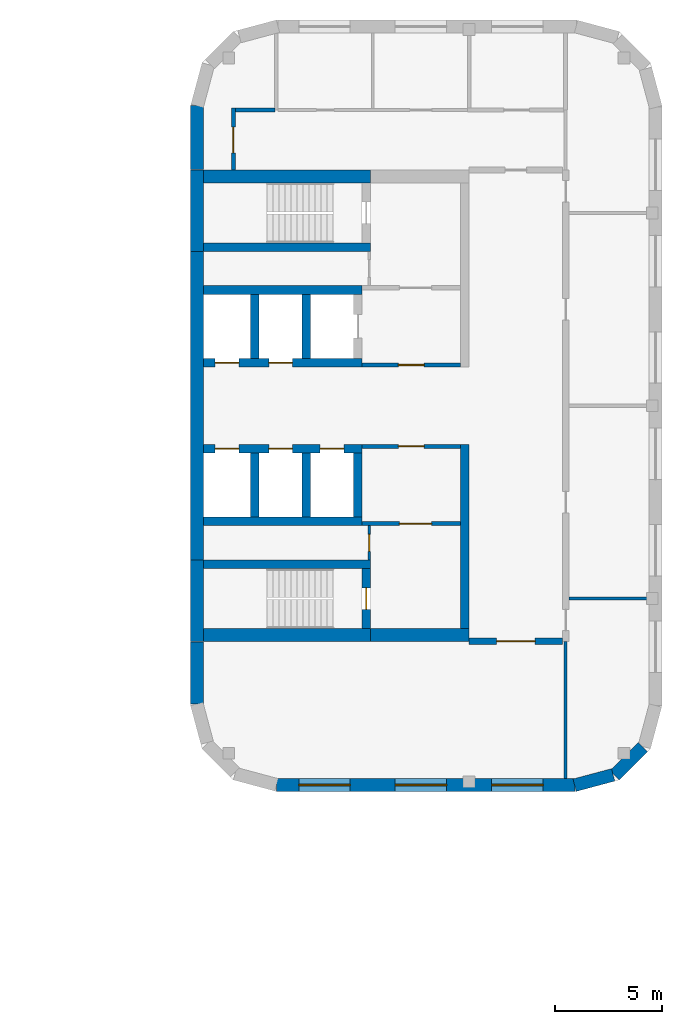
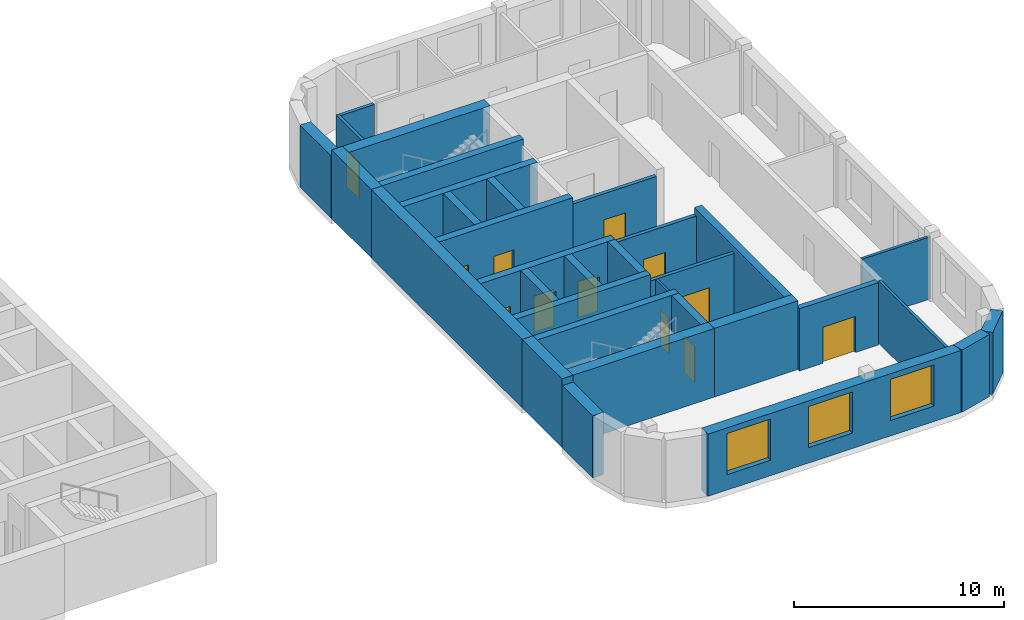
# One storey, part 7 of 13: 33 walls, 12 doors, 3 windows, 15 openings.
"""IFC4 building model written with IfcOpenShell, lengths in metres."""

from ifc_helpers import new_model, si_unit, direction, frame, frame_2d, origin, place, context, subcontext, project, spatial, rectangle, extrude, material, layer, layer_set, type_object, element, fill, save


model = new_model("IFC4")

# Units and contexts
model_context = context("Model", 3, precision=1e-05, world=origin(), true_north=direction((0.0, 1.0)))
body_context = subcontext(model_context, "Body", "Model", "MODEL_VIEW")
ifc_project = project(units=[si_unit("LENGTHUNIT", "METRE"), si_unit("AREAUNIT", "SQUARE_METRE"), si_unit("VOLUMEUNIT", "CUBIC_METRE"), si_unit("PLANEANGLEUNIT", "RADIAN"), si_unit("MASSUNIT", "GRAM", prefix="KILO")], contexts=[model_context])

# Site, building, storey
site_placement = place(None, origin())
site = spatial("IfcSite", under=ifc_project, at=site_placement, CompositionType="ELEMENT")
building_placement = place(site_placement, origin())
building = spatial("IfcBuilding", under=site, at=building_placement, Name="Skarvind Civic Tower", CompositionType="ELEMENT")
storey_placement = place(building_placement, frame((0.0, 0.0, 93.0)))
storey = spatial("IfcBuildingStorey", under=building, at=storey_placement, Name="L21", CompositionType="ELEMENT", Elevation=93.0)

# Wall, opening, door
ifc_material_1 = material(Name="Acoustic gypsum board on steel studs", Category="steel")
ifc_layer_1 = layer(ifc_material_1, 0.175048828125)
ifc_layer_set_1 = layer_set([ifc_layer_1], Name="ACOUSTIC MEETING-ROOM PARTITION 175")
wall_type_1 = type_object("IfcWallType", Name="ACOUSTIC MEETING-ROOM PARTITION 175", PredefinedType="PARTITIONING", material=ifc_layer_set_1)
wall_1_placement = place(storey_placement, frame((129.0, 139.0, 0.0), z_axis=(0.0, 0.0, 1.0), x_axis=(0.0, 1.0, 0.0)))
wall_1 = element("IfcWall", 1, at=wall_1_placement, inside=storey, type_object=wall_type_1, Name="Partition 21.001", PredefinedType="PARTITIONING", context=body_context, shape_type="SweptSolid", body=[
    extrude(rectangle(XDim=2.887939453125, YDim=0.175048828125, at=frame_2d((1.44384765625, 0.0))), origin(), (0.0, 0.0, 1.0), 3.625),
])
opening_1_placement = place(wall_1_placement, frame((0.800048828125, 0.0, 0.0)))
opening_1 = element("IfcOpeningElement", 2, at=opening_1_placement, cuts=wall_1, Name="Opening L21-D110", PredefinedType="OPENING", context=body_context, shape_type="SweptSolid", body=[
    extrude(rectangle(XDim=1.199951171875, YDim=2.10009765625, at=frame_2d((0.60009765625, 1.050048828125))), frame((0.0, 0.097412109375, 0.0), z_axis=(0.0, -1.0, 0.0), x_axis=(1.0, 0.0, 0.0)), (0.0, 0.0, 1.0), 0.195068359375),
])
ifc_material_2 = material(Name="Timber door leaf", Category="wood")
door_type_1 = type_object("IfcDoorType", Name="DOOR 1200X2100 DOUBLE TIMBER", OperationType="NOTDEFINED", PredefinedType="DOOR", material=ifc_material_2)
door_1_placement = place(opening_1_placement, origin())
door_1 = element("IfcDoor", 3, at=door_1_placement, inside=storey, type_object=door_type_1, Name="Door L21-D110", OperationType="DOUBLE_DOOR_SINGLE_SWING", OverallHeight=2.10009765625, OverallWidth=1.199951171875, PredefinedType="DOOR", context=body_context, shape_type="SweptSolid", body=[
    extrude(rectangle(XDim=1.199951171875, YDim=2.10009765625, at=frame_2d((0.60009765625, 1.050048828125))), frame((0.0, 0.02490234375, 0.0), z_axis=(0.0, -1.0, 0.0), x_axis=(1.0, 0.0, 0.0)), (0.0, 0.0, 1.0), 0.050048828125),
])
fill(opening_1, door_1)

# Wall
wall_2_placement = place(storey_placement, frame((129.087890625, 141.800048828125, 0.0), z_axis=(0.0, 0.0, 1.0), x_axis=(1.0, 0.0, 0.0)))
element("IfcWall", 4, at=wall_2_placement, inside=storey, type_object=wall_type_1, Name="Partition 21.002", PredefinedType="PARTITIONING", context=body_context, shape_type="SweptSolid", body=[
    extrude(rectangle(XDim=1.85302734375, YDim=0.175048828125, at=frame_2d((0.926513671875, 0.0))), origin(), (0.0, 0.0, 1.0), 3.625),
])

# Wall, opening, door
ifc_material_3 = material(Name="Fire-rated gypsum board on steel studs", Category="steel")
ifc_layer_2 = layer(ifc_material_3, 0.300048828125)
ifc_layer_set_2 = layer_set([ifc_layer_2], Name="CORRIDOR WALL 300")
wall_type_2 = type_object("IfcWallType", Name="CORRIDOR WALL 300", PredefinedType="PARTITIONING", material=ifc_layer_set_2)
wall_3_placement = place(storey_placement, frame((144.35009765625, 117.0, 0.0), z_axis=(0.0, 0.0, 1.0), x_axis=(-1.0, 0.0, 0.0)))
wall_3 = element("IfcWall", 5, at=wall_3_placement, inside=storey, type_object=wall_type_2, Name="Partition 21.009", PredefinedType="PARTITIONING", context=body_context, shape_type="SweptSolid", body=[
    extrude(rectangle(XDim=4.35009765625, YDim=0.300048828125, at=frame_2d((2.175048828125, 0.0))), origin(), (0.0, 0.0, 1.0), 3.625),
])
opening_2_placement = place(wall_3_placement, frame((1.2666015625, 0.0, 0.0)))
opening_2 = element("IfcOpeningElement", 6, at=opening_2_placement, cuts=wall_3, Name="Opening L21-D105", PredefinedType="OPENING", context=body_context, shape_type="SweptSolid", body=[
    extrude(rectangle(XDim=1.800048828125, YDim=2.10009765625, at=frame_2d((0.89990234375, 1.050048828125))), frame((0.0, 0.159912109375, 0.0), z_axis=(0.0, -1.0, 0.0), x_axis=(1.0, 0.0, 0.0)), (0.0, 0.0, 1.0), 0.320068359375),
])
ifc_material_4 = material(Name="Fire-rated timber door leaf", Category="wood")
door_type_2 = type_object("IfcDoorType", Name="FD4 1800x2100", OperationType="NOTDEFINED", PredefinedType="DOOR", material=ifc_material_4)
door_2_placement = place(opening_2_placement, origin())
door_2 = element("IfcDoor", 7, at=door_2_placement, inside=storey, type_object=door_type_2, Name="Door L21-D105", OperationType="DOUBLE_DOOR_SINGLE_SWING", OverallHeight=2.10009765625, OverallWidth=1.800048828125, PredefinedType="DOOR", context=body_context, shape_type="SweptSolid", body=[
    extrude(rectangle(XDim=1.800048828125, YDim=2.10009765625, at=frame_2d((0.89990234375, 1.050048828125))), frame((0.0, 0.02490234375, 0.0), z_axis=(0.0, -1.0, 0.0), x_axis=(1.0, 0.0, 0.0)), (0.0, 0.0, 1.0), 0.050048828125),
])
fill(opening_2, door_2)

ifc_material_5 = material(Name="Fire-rated masonry partition", Category="masonry")
ifc_layer_3 = layer(ifc_material_5, 0.199951171875)
ifc_layer_set_3 = layer_set([ifc_layer_3], Name="Core enclosure wall 200")
wall_type_3 = type_object("IfcWallType", Name="Core enclosure wall 200", PredefinedType="PARTITIONING", material=ifc_layer_set_3)
wall_4_placement = place(storey_placement, frame((135.0, 129.89990234375, 0.0), z_axis=(0.0, 0.0, 1.0), x_axis=(1.0, 0.0, 0.0)))
wall_4 = element("IfcWall", 8, at=wall_4_placement, inside=storey, type_object=wall_type_3, Name="Core wall CA", PredefinedType="PARTITIONING", context=body_context, shape_type="SweptSolid", body=[
    extrude(rectangle(XDim=4.60009765625, YDim=0.199951171875, at=frame_2d((2.300048828125, 0.0))), origin(), (0.0, 0.0, 1.0), 3.625),
])
opening_3_placement = place(wall_4_placement, frame((1.699951171875, 0.0, 0.0)))
opening_3 = element("IfcOpeningElement", 9, at=opening_3_placement, cuts=wall_4, Name="Opening D-L21-CA-06", PredefinedType="OPENING", context=body_context, shape_type="SweptSolid", body=[
    extrude(rectangle(XDim=1.199951171875, YDim=2.10009765625, at=frame_2d((0.60009765625, 1.050048828125))), frame((0.0, 0.10986328125, 0.0), z_axis=(0.0, -1.0, 0.0), x_axis=(1.0, 0.0, 0.0)), (0.0, 0.0, 1.0), 0.219970703125),
])
ifc_material_6 = material(Name="Fire-rated steel door", Category="steel")
door_type_3 = type_object("IfcDoorType", Name="Core lobby door 1200", OperationType="NOTDEFINED", PredefinedType="DOOR", material=ifc_material_6)
door_3_placement = place(opening_3_placement, origin())
door_3 = element("IfcDoor", 10, at=door_3_placement, inside=storey, type_object=door_type_3, Name="Fire door", OperationType="DOUBLE_DOOR_SINGLE_SWING", OverallHeight=2.10009765625, OverallWidth=1.199951171875, PredefinedType="DOOR", context=body_context, shape_type="SweptSolid", body=[
    extrude(rectangle(XDim=1.199951171875, YDim=2.10009765625, at=frame_2d((0.60009765625, 1.050048828125))), frame((0.0, 0.02490234375, 0.0), z_axis=(0.0, -1.0, 0.0), x_axis=(1.0, 0.0, 0.0)), (0.0, 0.0, 1.0), 0.050048828125),
])
fill(opening_3, door_3)

wall_5_placement = place(storey_placement, frame((139.60009765625, 126.10009765625, 0.0), z_axis=(0.0, 0.0, 1.0), x_axis=(-1.0, 0.0, 0.0)))
wall_5 = element("IfcWall", 11, at=wall_5_placement, inside=storey, type_object=wall_type_3, Name="Core wall CA", PredefinedType="PARTITIONING", context=body_context, shape_type="SweptSolid", body=[
    extrude(rectangle(XDim=4.60009765625, YDim=0.199951171875, at=frame_2d((2.300048828125, 0.0))), origin(), (0.0, 0.0, 1.0), 3.625),
])
opening_4_placement = place(wall_5_placement, frame((1.699951171875, 0.0, 0.0)))
opening_4 = element("IfcOpeningElement", 12, at=opening_4_placement, cuts=wall_5, Name="Opening D-L21-CA-10", PredefinedType="OPENING", context=body_context, shape_type="SweptSolid", body=[
    extrude(rectangle(XDim=1.199951171875, YDim=2.10009765625, at=frame_2d((0.60009765625, 1.050048828125))), frame((0.0, 0.10986328125, 0.0), z_axis=(0.0, -1.0, 0.0), x_axis=(1.0, 0.0, 0.0)), (0.0, 0.0, 1.0), 0.219970703125),
])
door_4_placement = place(opening_4_placement, origin())
door_4 = element("IfcDoor", 13, at=door_4_placement, inside=storey, type_object=door_type_3, Name="Fire door", OperationType="DOUBLE_DOOR_SINGLE_SWING", OverallHeight=2.10009765625, OverallWidth=1.199951171875, PredefinedType="DOOR", context=body_context, shape_type="SweptSolid", body=[
    extrude(rectangle(XDim=1.199951171875, YDim=2.10009765625, at=frame_2d((0.60009765625, 1.050048828125))), frame((0.0, 0.02490234375, 0.0), z_axis=(0.0, -1.0, 0.0), x_axis=(1.0, 0.0, 0.0)), (0.0, 0.0, 1.0), 0.050048828125),
])
fill(opening_4, door_4)

wall_6_placement = place(storey_placement, frame((139.60009765625, 122.5, 0.0), z_axis=(0.0, 0.0, 1.0), x_axis=(-1.0, 0.0, 0.0)))
wall_6 = element("IfcWall", 14, at=wall_6_placement, inside=storey, type_object=wall_type_3, Name="Core wall CA", PredefinedType="PARTITIONING", context=body_context, shape_type="SweptSolid", body=[
    extrude(rectangle(XDim=4.60009765625, YDim=0.199951171875, at=frame_2d((2.300048828125, 0.0))), origin(), (0.0, 0.0, 1.0), 3.625),
])
opening_5_placement = place(wall_6_placement, frame((1.35009765625, 0.0, 0.0)))
opening_5 = element("IfcOpeningElement", 15, at=opening_5_placement, cuts=wall_6, Name="Opening D-L21-CA-11", PredefinedType="OPENING", context=body_context, shape_type="SweptSolid", body=[
    extrude(rectangle(XDim=1.5, YDim=2.10009765625, at=frame_2d((0.75, 1.050048828125))), frame((0.0, 0.10986328125, 0.0), z_axis=(0.0, -1.0, 0.0), x_axis=(1.0, 0.0, 0.0)), (0.0, 0.0, 1.0), 0.219970703125),
])
door_type_4 = type_object("IfcDoorType", Name="Fire door 1500", OperationType="NOTDEFINED", PredefinedType="DOOR", material=ifc_material_6)
door_5_placement = place(opening_5_placement, origin())
door_5 = element("IfcDoor", 16, at=door_5_placement, inside=storey, type_object=door_type_4, Name="Fire door", OperationType="DOUBLE_DOOR_SINGLE_SWING", OverallHeight=2.10009765625, OverallWidth=1.5, PredefinedType="DOOR", context=body_context, shape_type="SweptSolid", body=[
    extrude(rectangle(XDim=1.5, YDim=2.10009765625, at=frame_2d((0.75, 1.050048828125))), frame((0.0, 0.02490234375, 0.0), z_axis=(0.0, -1.0, 0.0), x_axis=(1.0, 0.0, 0.0)), (0.0, 0.0, 1.0), 0.050048828125),
])
fill(opening_5, door_5)

# Wall
ifc_material_7 = material(Name="Concrete C80", Category="concrete")
ifc_layer_4 = layer(ifc_material_7, 0.39990234375)
ifc_layer_set_4 = layer_set([ifc_layer_4], Name="Core wall 400 C80")
wall_type_4 = type_object("IfcWallType", Name="Core wall 400 C80", PredefinedType="SHEAR", material=ifc_layer_set_4)
wall_7_placement = place(storey_placement, frame((127.60009765625, 120.60009765625, 0.0), z_axis=(0.0, 0.0, 1.0), x_axis=(1.0, 0.0, 0.0)))
element("IfcWall", 17, at=wall_7_placement, inside=storey, type_object=wall_type_4, Name="Core wall CA south stair inner L21", PredefinedType="SHEAR", context=body_context, shape_type="SweptSolid", body=[
    extrude(rectangle(XDim=7.7998046875, YDim=0.39990234375, at=frame_2d((3.89990234375, 0.0))), origin(), (0.0, 0.0, 1.0), 4.0),
])

# Wall, opening, door
wall_8_placement = place(storey_placement, frame((135.199951171875, 117.60009765625, 0.0), z_axis=(0.0, 0.0, 1.0), x_axis=(0.0, 1.0, 0.0)))
wall_8 = element("IfcWall", 18, at=wall_8_placement, inside=storey, type_object=wall_type_4, Name="Core wall CA south stair end L21", PredefinedType="SHEAR", context=body_context, shape_type="SweptSolid", body=[
    extrude(rectangle(XDim=2.7998046875, YDim=0.39990234375, at=frame_2d((1.39990234375, 0.0))), origin(), (0.0, 0.0, 1.0), 4.0),
])
opening_6_placement = place(wall_8_placement, frame((0.89990234375, 0.0, 0.0)))
opening_6 = element("IfcOpeningElement", 19, at=opening_6_placement, cuts=wall_8, Name="Opening D-L21-CA-12", PredefinedType="OPENING", context=body_context, shape_type="SweptSolid", body=[
    extrude(rectangle(XDim=1.0, YDim=2.10009765625, at=frame_2d((0.5, 1.050048828125))), frame((0.0, 0.2099609375, 0.0), z_axis=(0.0, -1.0, 0.0), x_axis=(1.0, 0.0, 0.0)), (0.0, 0.0, 1.0), 0.419921875),
])
door_type_5 = type_object("IfcDoorType", Name="Fire door 1000", OperationType="NOTDEFINED", PredefinedType="DOOR", material=ifc_material_6)
door_6_placement = place(opening_6_placement, origin())
door_6 = element("IfcDoor", 20, at=door_6_placement, inside=storey, type_object=door_type_5, Name="Fire door", OperationType="SINGLE_SWING_RIGHT", OverallHeight=2.10009765625, OverallWidth=1.0, PredefinedType="DOOR", context=body_context, shape_type="SweptSolid", body=[
    extrude(rectangle(XDim=1.0, YDim=2.10009765625, at=frame_2d((0.5, 1.050048828125))), frame((0.0, 0.02490234375, 0.0), z_axis=(0.0, -1.0, 0.0), x_axis=(1.0, 0.0, 0.0)), (0.0, 0.0, 1.0), 0.050048828125),
])
fill(opening_6, door_6)

# Wall
wall_9_placement = place(storey_placement, frame((127.60009765625, 135.39990234375, 0.0), z_axis=(0.0, 0.0, 1.0), x_axis=(1.0, 0.0, 0.0)))
element("IfcWall", 21, at=wall_9_placement, inside=storey, type_object=wall_type_4, Name="Core wall CA north stair inner L21", PredefinedType="SHEAR", context=body_context, shape_type="SweptSolid", body=[
    extrude(rectangle(XDim=7.7998046875, YDim=0.39990234375, at=frame_2d((3.89990234375, 0.0))), origin(), (0.0, 0.0, 1.0), 4.0),
])

# Wall, openings, doors
wall_10_placement = place(storey_placement, frame((127.60009765625, 126.0, 0.0), z_axis=(0.0, 0.0, 1.0), x_axis=(1.0, 0.0, 0.0)))
wall_10 = element("IfcWall", 22, at=wall_10_placement, inside=storey, type_object=wall_type_4, Name="Core wall CA south lift row front L21", PredefinedType="SHEAR", context=body_context, shape_type="SweptSolid", body=[
    extrude(rectangle(XDim=7.39990234375, YDim=0.39990234375, at=frame_2d((3.699951171875, 0.0))), origin(), (0.0, 0.0, 1.0), 4.0),
])
opening_7_placement = place(wall_10_placement, frame((0.550048828125, 0.0, 0.0)))
opening_7 = element("IfcOpeningElement", 23, at=opening_7_placement, cuts=wall_10, Name="Opening LD23304", PredefinedType="OPENING", context=body_context, shape_type="SweptSolid", body=[
    extrude(rectangle(XDim=1.10009765625, YDim=2.10009765625, at=frame_2d((0.550048828125, 1.050048828125))), frame((0.0, 0.2099609375, 0.0), z_axis=(0.0, -1.0, 0.0), x_axis=(1.0, 0.0, 0.0)), (0.0, 0.0, 1.0), 0.419921875),
])
opening_8_placement = place(wall_10_placement, frame((3.050048828125, 0.0, 0.0)))
opening_8 = element("IfcOpeningElement", 24, at=opening_8_placement, cuts=wall_10, Name="Opening LD23305", PredefinedType="OPENING", context=body_context, shape_type="SweptSolid", body=[
    extrude(rectangle(XDim=1.10009765625, YDim=2.10009765625, at=frame_2d((0.550048828125, 1.050048828125))), frame((0.0, 0.2099609375, 0.0), z_axis=(0.0, -1.0, 0.0), x_axis=(1.0, 0.0, 0.0)), (0.0, 0.0, 1.0), 0.419921875),
])
opening_9_placement = place(wall_10_placement, frame((5.449951171875, 0.0, 0.0)))
opening_9 = element("IfcOpeningElement", 25, at=opening_9_placement, cuts=wall_10, Name="Opening LD23306", PredefinedType="OPENING", context=body_context, shape_type="SweptSolid", body=[
    extrude(rectangle(XDim=1.10009765625, YDim=2.10009765625, at=frame_2d((0.550048828125, 1.050048828125))), frame((0.0, 0.2099609375, 0.0), z_axis=(0.0, -1.0, 0.0), x_axis=(1.0, 0.0, 0.0)), (0.0, 0.0, 1.0), 0.419921875),
])
ifc_material_8 = material(Name="Stainless steel landing door", Category="steel")
door_type_6 = type_object("IfcDoorType", Name="Lift landing door 1100", OperationType="DOUBLE_DOOR_SLIDING", PredefinedType="DOOR", material=ifc_material_8)
door_7_placement = place(opening_7_placement, origin())
door_7 = element("IfcDoor", 26, at=door_7_placement, inside=storey, type_object=door_type_6, Name="Lift landing door", OperationType="DOUBLE_DOOR_SLIDING", OverallHeight=2.10009765625, OverallWidth=1.10009765625, PredefinedType="DOOR", context=body_context, shape_type="SweptSolid", body=[
    extrude(rectangle(XDim=1.10009765625, YDim=2.10009765625, at=frame_2d((0.550048828125, 1.050048828125))), frame((0.0, 0.02490234375, 0.0), z_axis=(0.0, -1.0, 0.0), x_axis=(1.0, 0.0, 0.0)), (0.0, 0.0, 1.0), 0.050048828125),
])
fill(opening_7, door_7)
door_8_placement = place(opening_8_placement, origin())
door_8 = element("IfcDoor", 27, at=door_8_placement, inside=storey, type_object=door_type_6, Name="Lift landing door", OperationType="DOUBLE_DOOR_SLIDING", OverallHeight=2.10009765625, OverallWidth=1.10009765625, PredefinedType="DOOR", context=body_context, shape_type="SweptSolid", body=[
    extrude(rectangle(XDim=1.10009765625, YDim=2.10009765625, at=frame_2d((0.550048828125, 1.050048828125))), frame((0.0, 0.02490234375, 0.0), z_axis=(0.0, -1.0, 0.0), x_axis=(1.0, 0.0, 0.0)), (0.0, 0.0, 1.0), 0.050048828125),
])
fill(opening_8, door_8)
door_9_placement = place(opening_9_placement, origin())
door_9 = element("IfcDoor", 28, at=door_9_placement, inside=storey, type_object=door_type_6, Name="Lift landing door", OperationType="DOUBLE_DOOR_SLIDING", OverallHeight=2.10009765625, OverallWidth=1.10009765625, PredefinedType="DOOR", context=body_context, shape_type="SweptSolid", body=[
    extrude(rectangle(XDim=1.10009765625, YDim=2.10009765625, at=frame_2d((0.550048828125, 1.050048828125))), frame((0.0, 0.02490234375, 0.0), z_axis=(0.0, -1.0, 0.0), x_axis=(1.0, 0.0, 0.0)), (0.0, 0.0, 1.0), 0.050048828125),
])
fill(opening_9, door_9)

# Walls
wall_11_placement = place(storey_placement, frame((127.60009765625, 122.60009765625, 0.0), z_axis=(0.0, 0.0, 1.0), x_axis=(1.0, 0.0, 0.0)))
element("IfcWall", 29, at=wall_11_placement, inside=storey, type_object=wall_type_4, Name="Core wall CA south lift row back L21", PredefinedType="SHEAR", context=body_context, shape_type="SweptSolid", body=[
    extrude(rectangle(XDim=7.39990234375, YDim=0.39990234375, at=frame_2d((3.699951171875, 0.0))), origin(), (0.0, 0.0, 1.0), 4.0),
])
for number, where, z_axis, x_axis, name in (
    (30, (130.0, 122.800048828125, 0.0), (0.0, 0.0, 1.0), (0.0, 1.0, 0.0), "Core wall CA south lift row division 1 L21"),
    (31, (132.39990234375, 122.800048828125, 0.0), (0.0, 0.0, 1.0), (0.0, 1.0, 0.0), "Core wall CA south lift row division 2 L21"),
    (32, (134.800048828125, 122.800048828125, 0.0), (0.0, 0.0, 1.0), (0.0, 1.0, 0.0), "Core wall CA south lift row division 3 L21"),
):
    element("IfcWall", number, at=place(storey_placement, frame(where, z_axis=z_axis, x_axis=x_axis)), inside=storey, type_object=wall_type_4, Name=name, PredefinedType="SHEAR", context=body_context, shape_type="SweptSolid", body=[
        extrude(rectangle(XDim=3.0, YDim=0.39990234375, at=frame_2d((1.5, 0.0))), origin(), (0.0, 0.0, 1.0), 4.0),
    ])

# Wall, openings, doors
wall_12_placement = place(storey_placement, frame((127.60009765625, 130.0, 0.0), z_axis=(0.0, 0.0, 1.0), x_axis=(1.0, 0.0, 0.0)))
wall_12 = element("IfcWall", 33, at=wall_12_placement, inside=storey, type_object=wall_type_4, Name="Core wall CA north lift row front L21", PredefinedType="SHEAR", context=body_context, shape_type="SweptSolid", body=[
    extrude(rectangle(XDim=7.39990234375, YDim=0.39990234375, at=frame_2d((3.699951171875, 0.0))), origin(), (0.0, 0.0, 1.0), 4.0),
])
opening_10_placement = place(wall_12_placement, frame((0.550048828125, 0.0, 0.0)))
opening_10 = element("IfcOpeningElement", 34, at=opening_10_placement, cuts=wall_12, Name="Opening LD23301", PredefinedType="OPENING", context=body_context, shape_type="SweptSolid", body=[
    extrude(rectangle(XDim=1.10009765625, YDim=2.10009765625, at=frame_2d((0.550048828125, 1.050048828125))), frame((0.0, 0.2099609375, 0.0), z_axis=(0.0, -1.0, 0.0), x_axis=(1.0, 0.0, 0.0)), (0.0, 0.0, 1.0), 0.419921875),
])
opening_11_placement = place(wall_12_placement, frame((3.050048828125, 0.0, 0.0)))
opening_11 = element("IfcOpeningElement", 35, at=opening_11_placement, cuts=wall_12, Name="Opening LD23302", PredefinedType="OPENING", context=body_context, shape_type="SweptSolid", body=[
    extrude(rectangle(XDim=1.10009765625, YDim=2.10009765625, at=frame_2d((0.550048828125, 1.050048828125))), frame((0.0, 0.2099609375, 0.0), z_axis=(0.0, -1.0, 0.0), x_axis=(1.0, 0.0, 0.0)), (0.0, 0.0, 1.0), 0.419921875),
])
door_10_placement = place(opening_10_placement, origin())
door_10 = element("IfcDoor", 36, at=door_10_placement, inside=storey, type_object=door_type_6, Name="Lift landing door", OperationType="DOUBLE_DOOR_SLIDING", OverallHeight=2.10009765625, OverallWidth=1.10009765625, PredefinedType="DOOR", context=body_context, shape_type="SweptSolid", body=[
    extrude(rectangle(XDim=1.10009765625, YDim=2.10009765625, at=frame_2d((0.550048828125, 1.050048828125))), frame((0.0, 0.02490234375, 0.0), z_axis=(0.0, -1.0, 0.0), x_axis=(1.0, 0.0, 0.0)), (0.0, 0.0, 1.0), 0.050048828125),
])
fill(opening_10, door_10)
door_11_placement = place(opening_11_placement, origin())
door_11 = element("IfcDoor", 37, at=door_11_placement, inside=storey, type_object=door_type_6, Name="Lift landing door", OperationType="DOUBLE_DOOR_SLIDING", OverallHeight=2.10009765625, OverallWidth=1.10009765625, PredefinedType="DOOR", context=body_context, shape_type="SweptSolid", body=[
    extrude(rectangle(XDim=1.10009765625, YDim=2.10009765625, at=frame_2d((0.550048828125, 1.050048828125))), frame((0.0, 0.02490234375, 0.0), z_axis=(0.0, -1.0, 0.0), x_axis=(1.0, 0.0, 0.0)), (0.0, 0.0, 1.0), 0.050048828125),
])
fill(opening_11, door_11)

# Walls
wall_13_placement = place(storey_placement, frame((127.60009765625, 133.39990234375, 0.0), z_axis=(0.0, 0.0, 1.0), x_axis=(1.0, 0.0, 0.0)))
element("IfcWall", 38, at=wall_13_placement, inside=storey, type_object=wall_type_4, Name="Core wall CA north lift row back L21", PredefinedType="SHEAR", context=body_context, shape_type="SweptSolid", body=[
    extrude(rectangle(XDim=7.39990234375, YDim=0.39990234375, at=frame_2d((3.699951171875, 0.0))), origin(), (0.0, 0.0, 1.0), 4.0),
])
for number, where, z_axis, x_axis, name in (
    (39, (130.0, 130.199951171875, 0.0), (0.0, 0.0, 1.0), (0.0, 1.0, 0.0), "Core wall CA north lift row division 1 L21"),
    (40, (132.39990234375, 130.199951171875, 0.0), (0.0, 0.0, 1.0), (0.0, 1.0, 0.0), "Core wall CA north lift row division 2 L21"),
):
    element("IfcWall", number, at=place(storey_placement, frame(where, z_axis=z_axis, x_axis=x_axis)), inside=storey, type_object=wall_type_4, Name=name, PredefinedType="SHEAR", context=body_context, shape_type="SweptSolid", body=[
        extrude(rectangle(XDim=3.0, YDim=0.39990234375, at=frame_2d((1.5, 0.0))), origin(), (0.0, 0.0, 1.0), 4.0),
    ])
wall_14_placement = place(storey_placement, frame((139.800048828125, 117.60009765625, 0.0), z_axis=(0.0, 0.0, 1.0), x_axis=(0.0, 1.0, 0.0)))
element("IfcWall", 41, at=wall_14_placement, inside=storey, type_object=wall_type_4, Name="Core wall CA south inner face L21", PredefinedType="SHEAR", context=body_context, shape_type="SweptSolid", body=[
    extrude(rectangle(XDim=8.599853515625, YDim=0.39990234375, at=frame_2d((4.2998046875, 0.0))), origin(), (0.0, 0.0, 1.0), 4.0),
])
ifc_layer_5 = layer(ifc_material_7, 0.60009765625)
ifc_layer_set_5 = layer_set([ifc_layer_5], Name="Core wall 600 C80")
wall_type_5 = type_object("IfcWallType", Name="Core wall 600 C80", PredefinedType="SHEAR", material=ifc_layer_set_5)
wall_15_placement = place(storey_placement, frame((127.300048828125, 117.0, 0.0), z_axis=(0.0, 0.0, 1.0), x_axis=(0.0, 1.0, 0.0)))
element("IfcWall", 42, at=wall_15_placement, inside=storey, type_object=wall_type_5, Name="Core wall CA tip at the south stair L21", PredefinedType="SHEAR", context=body_context, shape_type="SweptSolid", body=[
    extrude(rectangle(XDim=3.800048828125, YDim=0.60009765625, at=frame_2d((1.89990234375, 0.0))), origin(), (0.0, 0.0, 1.0), 4.0),
])
wall_16_placement = place(storey_placement, frame((127.300048828125, 120.800048828125, 0.0), z_axis=(0.0, 0.0, 1.0), x_axis=(0.0, 1.0, 0.0)))
element("IfcWall", 43, at=wall_16_placement, inside=storey, type_object=wall_type_5, Name="Core wall CA tip between the stairs L21", PredefinedType="SHEAR", context=body_context, shape_type="SweptSolid", body=[
    extrude(rectangle(XDim=14.39990234375, YDim=0.60009765625, at=frame_2d((7.199951171875, 0.0))), origin(), (0.0, 0.0, 1.0), 4.0),
])
wall_17_placement = place(storey_placement, frame((127.300048828125, 135.199951171875, 0.0), z_axis=(0.0, 0.0, 1.0), x_axis=(0.0, 1.0, 0.0)))
element("IfcWall", 44, at=wall_17_placement, inside=storey, type_object=wall_type_5, Name="Core wall CA tip at the north stair L21", PredefinedType="SHEAR", context=body_context, shape_type="SweptSolid", body=[
    extrude(rectangle(XDim=3.800048828125, YDim=0.60009765625, at=frame_2d((1.89990234375, 0.0))), origin(), (0.0, 0.0, 1.0), 4.0),
])
for number, where, z_axis, x_axis, name in (
    (45, (127.60009765625, 117.300048828125, 0.0), (0.0, 0.0, 1.0), (1.0, 0.0, 0.0), "Core wall CA south side at the stair L21"),
    (46, (127.60009765625, 138.699951171875, 0.0), (0.0, 0.0, 1.0), (1.0, 0.0, 0.0), "Core wall CA north side at the stair L21"),
):
    element("IfcWall", number, at=place(storey_placement, frame(where, z_axis=z_axis, x_axis=x_axis)), inside=storey, type_object=wall_type_5, Name=name, PredefinedType="SHEAR", context=body_context, shape_type="SweptSolid", body=[
        extrude(rectangle(XDim=7.7998046875, YDim=0.60009765625, at=frame_2d((3.89990234375, 0.0))), origin(), (0.0, 0.0, 1.0), 4.0),
    ])
wall_18_placement = place(storey_placement, frame((135.39990234375, 117.300048828125, 0.0), z_axis=(0.0, 0.0, 1.0), x_axis=(1.0, 0.0, 0.0)))
element("IfcWall", 47, at=wall_18_placement, inside=storey, type_object=wall_type_5, Name="Core wall CA south side L21", PredefinedType="SHEAR", context=body_context, shape_type="SweptSolid", body=[
    extrude(rectangle(XDim=4.60009765625, YDim=0.60009765625, at=frame_2d((2.300048828125, 0.0))), origin(), (0.0, 0.0, 1.0), 4.0),
])
ifc_material_9 = material(Name="Plasterboard partition on steel studs", Category="steel")
ifc_layer_6 = layer(ifc_material_9, 0.14990234375)
ifc_layer_set_6 = layer_set([ifc_layer_6], Name="PARTITION 150")
wall_type_6 = type_object("IfcWallType", Name="PARTITION 150", PredefinedType="PARTITIONING", material=ifc_layer_set_6)
wall_19_placement = place(storey_placement, frame((144.5, 117.0, 0.0), z_axis=(0.0, 0.0, 1.0), x_axis=(0.0, -1.0, 0.0)))
element("IfcWall", 48, at=wall_19_placement, inside=storey, type_object=wall_type_6, Name="Partition 21.010", PredefinedType="PARTITIONING", context=body_context, shape_type="SweptSolid", body=[
    extrude(rectangle(XDim=6.39990234375, YDim=0.14990234375, at=frame_2d((3.199951171875, 0.0))), origin(), (0.0, 0.0, 1.0), 3.625),
])
wall_20_placement = place(storey_placement, frame((144.64990234375, 119.0, 0.0), z_axis=(0.0, 0.0, 1.0), x_axis=(1.0, 0.0, 0.0)))
element("IfcWall", 49, at=wall_20_placement, inside=storey, type_object=wall_type_6, Name="Partition 21.011", PredefinedType="PARTITIONING", context=body_context, shape_type="SweptSolid", body=[
    extrude(rectangle(XDim=3.75, YDim=0.14990234375, at=frame_2d((1.875, 0.0))), origin(), (0.0, 0.0, 1.0), 3.625),
])

# Wall, opening, door
ifc_layer_7 = layer(ifc_material_5, 0.125)
ifc_layer_set_7 = layer_set([ifc_layer_7], Name="Riser wall 125")
wall_type_7 = type_object("IfcWallType", Name="Riser wall 125", PredefinedType="PARTITIONING", material=ifc_layer_set_7)
wall_21_placement = place(storey_placement, frame((135.33740234375, 122.39990234375, 0.0), z_axis=(0.0, 0.0, 1.0), x_axis=(0.0, -1.0, 0.0)))
wall_21 = element("IfcWall", 50, at=wall_21_placement, inside=storey, type_object=wall_type_7, Name="Core wall CA", PredefinedType="PARTITIONING", context=body_context, shape_type="SweptSolid", body=[
    extrude(rectangle(XDim=1.599853515625, YDim=0.125, at=frame_2d((0.7998046875, 0.0))), origin(), (0.0, 0.0, 1.0), 3.625),
])
opening_12_placement = place(wall_21_placement, frame((0.39990234375, 0.0, 0.0)))
opening_12 = element("IfcOpeningElement", 51, at=opening_12_placement, cuts=wall_21, Name="Opening D-L21-CA-13", PredefinedType="OPENING", context=body_context, shape_type="SweptSolid", body=[
    extrude(rectangle(XDim=0.800048828125, YDim=2.10009765625, at=frame_2d((0.39990234375, 1.050048828125))), frame((0.0, 0.072509765625, 0.0), z_axis=(0.0, -1.0, 0.0), x_axis=(1.0, 0.0, 0.0)), (0.0, 0.0, 1.0), 0.14501953125),
])
door_type_7 = type_object("IfcDoorType", Name="Core riser door 800", OperationType="NOTDEFINED", PredefinedType="DOOR", material=ifc_material_6)
door_12_placement = place(opening_12_placement, origin())
door_12 = element("IfcDoor", 52, at=door_12_placement, inside=storey, type_object=door_type_7, Name="Riser door", OperationType="SINGLE_SWING_LEFT", OverallHeight=2.10009765625, OverallWidth=0.800048828125, PredefinedType="DOOR", context=body_context, shape_type="SweptSolid", body=[
    extrude(rectangle(XDim=0.800048828125, YDim=2.10009765625, at=frame_2d((0.39990234375, 1.050048828125))), frame((0.0, 0.02490234375, 0.0), z_axis=(0.0, -1.0, 0.0), x_axis=(1.0, 0.0, 0.0)), (0.0, 0.0, 1.0), 0.050048828125),
])
fill(opening_12, door_12)

# Walls
ifc_material_10 = material(Name="Limestone masonry cladding on insulated backing", Category="masonry")
ifc_layer_8 = layer(ifc_material_10, 0.60009765625)
ifc_layer_set_8 = layer_set([ifc_layer_8], Name="WX1 STONE FACADE WALL 600")
wall_type_8 = type_object("IfcWallType", Name="WX1 STONE FACADE WALL 600", PredefinedType="SOLIDWALL", material=ifc_layer_set_8)
wall_22_placement = place(storey_placement, frame((127.300048828125, 139.02001953125, 0.0), z_axis=(0.0, 0.0, 1.0), x_axis=(0.0, 1.0, 0.0)))
element("IfcWall", 53, at=wall_22_placement, inside=storey, type_object=wall_type_8, Name="STONE FACADE WALL", PredefinedType="SOLIDWALL", context=body_context, shape_type="SweptSolid", body=[
    extrude(rectangle(XDim=2.97998046875, YDim=0.60009765625, at=frame_2d((1.489990234375, 0.0))), origin(), (0.0, 0.0, 1.0), 3.625),
])
wall_23_placement = place(storey_placement, frame((127.300048828125, 114.070068359375, 0.0), z_axis=(0.0, 0.0, 1.0), x_axis=(0.0, 1.0, 0.0)))
element("IfcWall", 54, at=wall_23_placement, inside=storey, type_object=wall_type_8, Name="STONE FACADE WALL", PredefinedType="SOLIDWALL", context=body_context, shape_type="SweptSolid", body=[
    extrude(rectangle(XDim=2.909912109375, YDim=0.60009765625, at=frame_2d((1.455078125, 0.0))), origin(), (0.0, 0.0, 1.0), 3.625),
])

# Wall, openings, windows
wall_24_placement = place(storey_placement, frame((144.929931640625, 110.300048828125, 0.0), z_axis=(0.0, 0.0, 1.0), x_axis=(-1.0, 0.0, 0.0)))
wall_24 = element("IfcWall", 55, at=wall_24_placement, inside=storey, type_object=wall_type_8, Name="STONE FACADE WALL", PredefinedType="SOLIDWALL", context=body_context, shape_type="SweptSolid", body=[
    extrude(rectangle(XDim=13.929931640625, YDim=0.60009765625, at=frame_2d((6.96484375, 0.0))), origin(), (0.0, 0.0, 1.0), 3.625),
])
opening_13_placement = place(wall_24_placement, frame((1.47998046875, 0.0, 0.89990234375)))
opening_13 = element("IfcOpeningElement", 56, at=opening_13_placement, cuts=wall_24, Name="Opening WN9", PredefinedType="OPENING", context=body_context, shape_type="SweptSolid", body=[
    extrude(rectangle(XDim=2.39990234375, YDim=2.39990234375, at=frame_2d((1.199951171875, 1.199951171875))), frame((0.0, 0.31005859375, 0.0), z_axis=(0.0, -1.0, 0.0), x_axis=(1.0, 0.0, 0.0)), (0.0, 0.0, 1.0), 0.6201171875),
])
opening_14_placement = place(wall_24_placement, frame((5.97998046875, 0.0, 0.89990234375)))
opening_14 = element("IfcOpeningElement", 57, at=opening_14_placement, cuts=wall_24, Name="Opening WN9", PredefinedType="OPENING", context=body_context, shape_type="SweptSolid", body=[
    extrude(rectangle(XDim=2.39990234375, YDim=2.39990234375, at=frame_2d((1.199951171875, 1.199951171875))), frame((0.0, 0.31005859375, 0.0), z_axis=(0.0, -1.0, 0.0), x_axis=(1.0, 0.0, 0.0)), (0.0, 0.0, 1.0), 0.6201171875),
])
opening_15_placement = place(wall_24_placement, frame((10.47998046875, 0.0, 0.89990234375)))
opening_15 = element("IfcOpeningElement", 58, at=opening_15_placement, cuts=wall_24, Name="Opening WN9", PredefinedType="OPENING", context=body_context, shape_type="SweptSolid", body=[
    extrude(rectangle(XDim=2.39990234375, YDim=2.39990234375, at=frame_2d((1.199951171875, 1.199951171875))), frame((0.0, 0.31005859375, 0.0), z_axis=(0.0, -1.0, 0.0), x_axis=(1.0, 0.0, 0.0)), (0.0, 0.0, 1.0), 0.6201171875),
])
ifc_material_11 = material(Name="Timber frame, double glazing, timber-lined reveal", Category="wood")
window_type = type_object("IfcWindowType", Name="WN9 COMPANION TOWER WINDOW 2400 x 2400", PartitioningType="SINGLE_PANEL", PredefinedType="WINDOW", material=ifc_material_11)
window_1_placement = place(opening_13_placement, origin())
window_1 = element("IfcWindow", 59, at=window_1_placement, inside=storey, type_object=window_type, Name="WN9 WINDOW", OverallHeight=2.39990234375, OverallWidth=2.39990234375, PartitioningType="SINGLE_PANEL", PredefinedType="WINDOW", context=body_context, shape_type="SweptSolid", body=[
    extrude(rectangle(XDim=2.39990234375, YDim=2.39990234375, at=frame_2d((1.199951171875, 1.199951171875))), frame((0.0, 0.030029296875, 0.0), z_axis=(0.0, -1.0, 0.0), x_axis=(1.0, 0.0, 0.0)), (0.0, 0.0, 1.0), 0.06005859375),
])
fill(opening_13, window_1)
window_2_placement = place(opening_14_placement, origin())
window_2 = element("IfcWindow", 60, at=window_2_placement, inside=storey, type_object=window_type, Name="WN9 WINDOW", OverallHeight=2.39990234375, OverallWidth=2.39990234375, PartitioningType="SINGLE_PANEL", PredefinedType="WINDOW", context=body_context, shape_type="SweptSolid", body=[
    extrude(rectangle(XDim=2.39990234375, YDim=2.39990234375, at=frame_2d((1.199951171875, 1.199951171875))), frame((0.0, 0.030029296875, 0.0), z_axis=(0.0, -1.0, 0.0), x_axis=(1.0, 0.0, 0.0)), (0.0, 0.0, 1.0), 0.06005859375),
])
fill(opening_14, window_2)
window_3_placement = place(opening_15_placement, origin())
window_3 = element("IfcWindow", 61, at=window_3_placement, inside=storey, type_object=window_type, Name="WN9 WINDOW", OverallHeight=2.39990234375, OverallWidth=2.39990234375, PartitioningType="SINGLE_PANEL", PredefinedType="WINDOW", context=body_context, shape_type="SweptSolid", body=[
    extrude(rectangle(XDim=2.39990234375, YDim=2.39990234375, at=frame_2d((1.199951171875, 1.199951171875))), frame((0.0, 0.030029296875, 0.0), z_axis=(0.0, -1.0, 0.0), x_axis=(1.0, 0.0, 0.0)), (0.0, 0.0, 1.0), 0.06005859375),
])
fill(opening_15, window_3)

# Walls
for number, where, z_axis, x_axis, name in (
    (62, (146.719482421875, 110.771240234375, 0.0), (0.0, 0.0, 1.0), (-0.965938094805, -0.258773254036, 0.0), "STONE FACADE WALL"),
    (63, (148.103515625, 112.063720703125, 0.0), (0.0, 0.0, 1.0), (-0.707106781187, -0.707106781187, 0.0), "STONE FACADE WALL"),
):
    element("IfcWall", number, at=place(storey_placement, frame(where, z_axis=z_axis, x_axis=x_axis)), inside=storey, type_object=wall_type_8, Name=name, PredefinedType="SOLIDWALL", context=body_context, shape_type="SweptSolid", body=[
        extrude(rectangle(XDim=1.860595703125, YDim=0.60009765625, at=frame_2d((0.93017578125, 0.0))), origin(), (0.0, 0.0, 1.0), 3.625),
    ])

save(model, "model.ifc")
